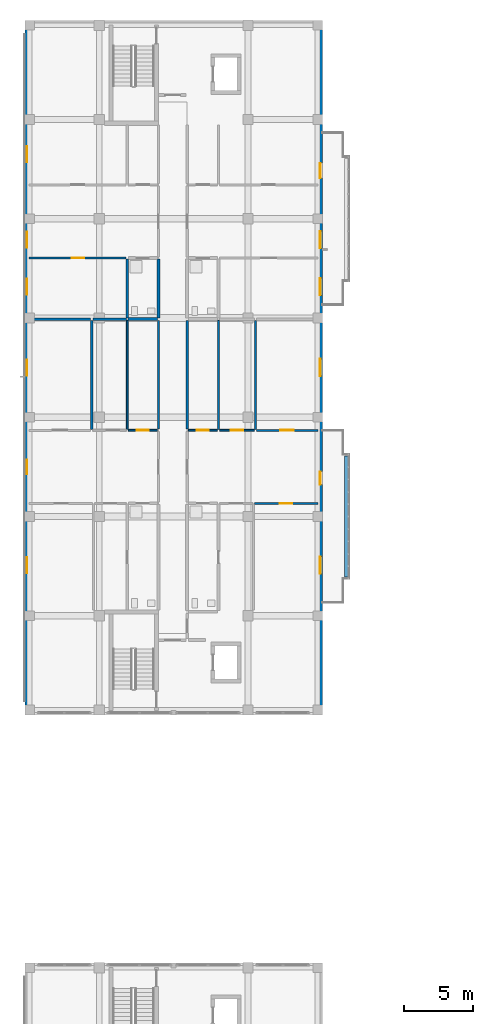
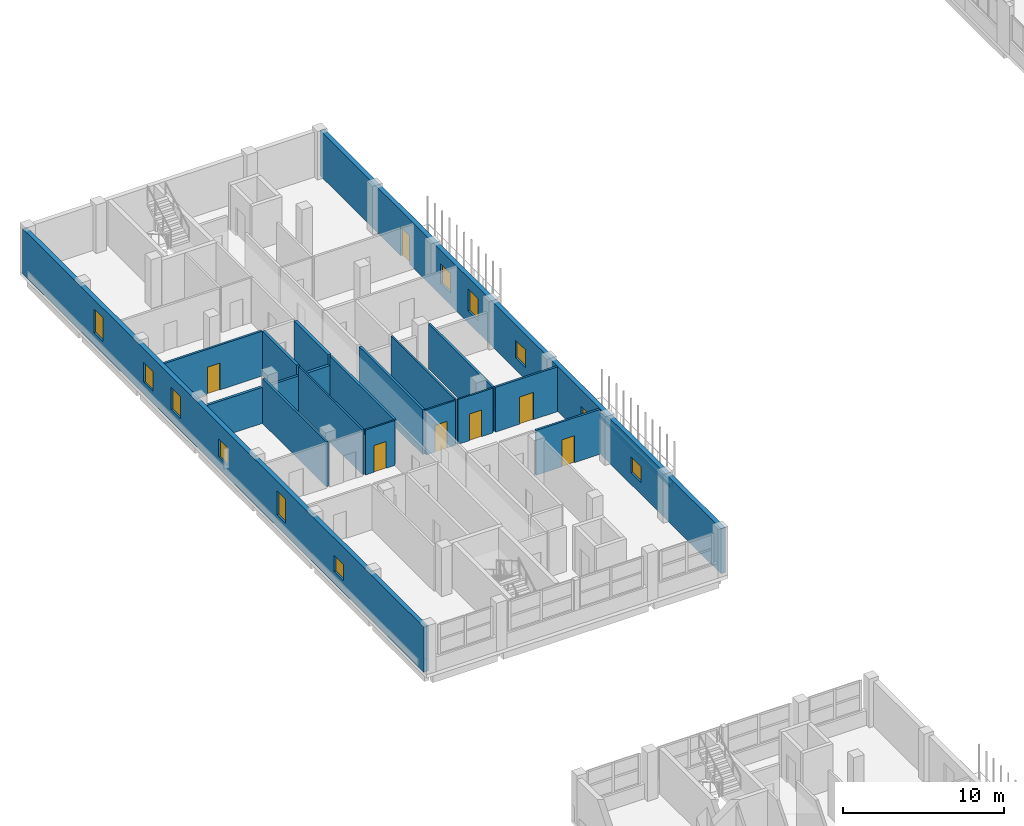
# One storey, part 42 of 73: 20 walls, 10 windows, 8 doors, 18 openings.
"""IFC4 building model written with IfcOpenShell, lengths in metres."""

from ifc_helpers import new_model, si_unit, derived_unit, direction, frame, frame_2d, origin, place, context, subcontext, project, spatial, rectangle, extrude, material, layer, layer_set, type_object, element, fill, save


model = new_model("IFC4")

# Units and contexts
model_context = context("Model", 3, precision=1e-05, world=origin(), true_north=direction((0.0, 1.0)))
body_context = subcontext(model_context, "Body", "Model", "MODEL_VIEW")
ifc_project = project(units=[si_unit("LENGTHUNIT", "METRE"), si_unit("AREAUNIT", "SQUARE_METRE"), si_unit("VOLUMEUNIT", "CUBIC_METRE"), si_unit("PLANEANGLEUNIT", "RADIAN"), si_unit("MASSUNIT", "GRAM", prefix="KILO"), derived_unit("THERMALTRANSMITTANCEUNIT", [(si_unit("MASSUNIT", "GRAM", prefix="KILO"), 1), (si_unit("TIMEUNIT", "SECOND"), -3), (si_unit("THERMODYNAMICTEMPERATUREUNIT", "KELVIN"), -1)])], contexts=[model_context])

# Site, building, storey
site_placement = place(None, origin())
site = spatial("IfcSite", under=ifc_project, at=site_placement, CompositionType="ELEMENT")
building_placement = place(site_placement, origin())
building = spatial("IfcBuilding", under=site, at=building_placement, Name="Ochrekiln Boulevard Commons", CompositionType="ELEMENT")
storey_placement = place(building_placement, frame((0.0, 0.0, 4.89990234375)))
storey = spatial("IfcBuildingStorey", under=building, at=storey_placement, Name="L01", CompositionType="ELEMENT", Elevation=4.89990234375)

# Wall, openings, windows
ifc_material_1 = material(Name="Desert ochre clinker brick masonry ASTM C216 Grade SW", Category="masonry")
ifc_layer_1 = layer(ifc_material_1, 0.320068359375)
ifc_layer_set_1 = layer_set([ifc_layer_1], Name="Desert ochre clinker brick masonry ASTM C216 Grade SW")
wall_type_1 = type_object("IfcWallType", Name="WL-EXT-OCHRE-320", PredefinedType="SOLIDWALL", material=ifc_layer_set_1)
wall_1_placement = place(storey_placement, frame((0.159912109375, 68.719970703125, 0.0), z_axis=(0.0, 0.0, 1.0), x_axis=(0.0, 1.0, 0.0)))
wall_1 = element("IfcWall", 1, at=wall_1_placement, inside=storey, type_object=wall_type_1, Name="Block A L01 W Exterior Wall", PredefinedType="SOLIDWALL", context=body_context, shape_type="SweptSolid", body=[
    extrude(rectangle(XDim=49.760009765625, YDim=0.320068359375, at=frame_2d((24.8798828125, 0.0))), origin(), (0.0, 0.0, 1.0), 3.4150390625),
])
opening_1_placement = place(wall_1_placement, frame((17.155029296875, 0.0, 0.89990234375)))
opening_1 = element("IfcOpeningElement", 2, at=opening_1_placement, cuts=wall_1, Name="Opening W-10", PredefinedType="OPENING", context=body_context, shape_type="SweptSolid", body=[
    extrude(rectangle(XDim=1.050048828125, YDim=1.800048828125, at=frame_2d((0.52490234375, 0.89990234375))), frame((0.0, 0.169921875, 0.0), z_axis=(0.0, -1.0, 0.0), x_axis=(1.0, 0.0, 0.0)), (0.0, 0.0, 1.0), 0.340087890625),
])
opening_2_placement = place(wall_1_placement, frame((9.969970703125, 0.0, 0.89990234375)))
opening_2 = element("IfcOpeningElement", 3, at=opening_2_placement, cuts=wall_1, Name="Opening W-11", PredefinedType="OPENING", context=body_context, shape_type="SweptSolid", body=[
    extrude(rectangle(XDim=1.14990234375, YDim=1.199951171875, at=frame_2d((0.574951171875, 0.60009765625))), frame((0.0, 0.169921875, 0.0), z_axis=(0.0, -1.0, 0.0), x_axis=(1.0, 0.0, 0.0)), (0.0, 0.0, 1.0), 0.340087890625),
])
opening_3_placement = place(wall_1_placement, frame((24.304931640625, 0.0, 0.89990234375)))
opening_3 = element("IfcOpeningElement", 4, at=opening_3_placement, cuts=wall_1, Name="Opening W-12", PredefinedType="OPENING", context=body_context, shape_type="SweptSolid", body=[
    extrude(rectangle(XDim=1.14990234375, YDim=1.35009765625, at=frame_2d((0.574951171875, 0.675048828125))), frame((0.0, 0.169921875, 0.0), z_axis=(0.0, -1.0, 0.0), x_axis=(1.0, 0.0, 0.0)), (0.0, 0.0, 1.0), 0.340087890625),
])
opening_4_placement = place(wall_1_placement, frame((33.583984375, 0.0, 0.89990234375)))
opening_4 = element("IfcOpeningElement", 5, at=opening_4_placement, cuts=wall_1, Name="Opening W-13", PredefinedType="OPENING", context=body_context, shape_type="SweptSolid", body=[
    extrude(rectangle(XDim=1.14990234375, YDim=1.5, at=frame_2d((0.574951171875, 0.75))), frame((0.0, 0.169921875, 0.0), z_axis=(0.0, -1.0, 0.0), x_axis=(1.0, 0.0, 0.0)), (0.0, 0.0, 1.0), 0.340087890625),
])
opening_5_placement = place(wall_1_placement, frame((30.174072265625, 0.0, 0.89990234375)))
opening_5 = element("IfcOpeningElement", 6, at=opening_5_placement, cuts=wall_1, Name="Opening W-14", PredefinedType="OPENING", context=body_context, shape_type="SweptSolid", body=[
    extrude(rectangle(XDim=1.14990234375, YDim=1.64990234375, at=frame_2d((0.574951171875, 0.824951171875))), frame((0.0, 0.169921875, 0.0), z_axis=(0.0, -1.0, 0.0), x_axis=(1.0, 0.0, 0.0)), (0.0, 0.0, 1.0), 0.340087890625),
])
opening_6_placement = place(wall_1_placement, frame((39.77587890625, 0.0, 0.89990234375)))
opening_6 = element("IfcOpeningElement", 7, at=opening_6_placement, cuts=wall_1, Name="Opening W-15", PredefinedType="OPENING", context=body_context, shape_type="SweptSolid", body=[
    extrude(rectangle(XDim=1.14990234375, YDim=1.800048828125, at=frame_2d((0.574951171875, 0.89990234375))), frame((0.0, 0.169921875, 0.0), z_axis=(0.0, -1.0, 0.0), x_axis=(1.0, 0.0, 0.0)), (0.0, 0.0, 1.0), 0.340087890625),
])
ifc_material_2 = material(Name="Thermally broken aluminium-clad oak frame", Category="aluminium")
window_type_1 = type_object("IfcWindowType", Name="WIN-EXT-10", PartitioningType="SINGLE_PANEL", PredefinedType="WINDOW", material=ifc_material_2)
window_1_placement = place(opening_1_placement, origin())
window_1 = element("IfcWindow", 8, at=window_1_placement, inside=storey, type_object=window_type_1, Name="Block A L01 Punched Masonry Window W-10", OverallHeight=1.800048828125, OverallWidth=1.050048828125, PartitioningType="SINGLE_PANEL", PredefinedType="WINDOW", context=body_context, shape_type="SweptSolid", body=[
    extrude(rectangle(XDim=1.050048828125, YDim=1.800048828125, at=frame_2d((0.52490234375, 0.89990234375))), frame((0.0, 0.030029296875, 0.0), z_axis=(0.0, -1.0, 0.0), x_axis=(1.0, 0.0, 0.0)), (0.0, 0.0, 1.0), 0.06005859375),
])
fill(opening_1, window_1)
window_type_2 = type_object("IfcWindowType", Name="WIN-EXT-11", PartitioningType="SINGLE_PANEL", PredefinedType="WINDOW", material=ifc_material_2)
window_2_placement = place(opening_2_placement, origin())
window_2 = element("IfcWindow", 9, at=window_2_placement, inside=storey, type_object=window_type_2, Name="Block A L01 Punched Masonry Window W-11", OverallHeight=1.199951171875, OverallWidth=1.14990234375, PartitioningType="SINGLE_PANEL", PredefinedType="WINDOW", context=body_context, shape_type="SweptSolid", body=[
    extrude(rectangle(XDim=1.14990234375, YDim=1.199951171875, at=frame_2d((0.574951171875, 0.60009765625))), frame((0.0, 0.030029296875, 0.0), z_axis=(0.0, -1.0, 0.0), x_axis=(1.0, 0.0, 0.0)), (0.0, 0.0, 1.0), 0.06005859375),
])
fill(opening_2, window_2)
window_type_3 = type_object("IfcWindowType", Name="WIN-EXT-12", PartitioningType="SINGLE_PANEL", PredefinedType="WINDOW", material=ifc_material_2)
window_3_placement = place(opening_3_placement, origin())
window_3 = element("IfcWindow", 10, at=window_3_placement, inside=storey, type_object=window_type_3, Name="Block A L01 Punched Masonry Window W-12", OverallHeight=1.35009765625, OverallWidth=1.14990234375, PartitioningType="SINGLE_PANEL", PredefinedType="WINDOW", context=body_context, shape_type="SweptSolid", body=[
    extrude(rectangle(XDim=1.14990234375, YDim=1.35009765625, at=frame_2d((0.574951171875, 0.675048828125))), frame((0.0, 0.030029296875, 0.0), z_axis=(0.0, -1.0, 0.0), x_axis=(1.0, 0.0, 0.0)), (0.0, 0.0, 1.0), 0.06005859375),
])
fill(opening_3, window_3)
window_type_4 = type_object("IfcWindowType", Name="WIN-EXT-13", PartitioningType="SINGLE_PANEL", PredefinedType="WINDOW", material=ifc_material_2)
window_4_placement = place(opening_4_placement, origin())
window_4 = element("IfcWindow", 11, at=window_4_placement, inside=storey, type_object=window_type_4, Name="Block A L01 Punched Masonry Window W-13", OverallHeight=1.5, OverallWidth=1.14990234375, PartitioningType="SINGLE_PANEL", PredefinedType="WINDOW", context=body_context, shape_type="SweptSolid", body=[
    extrude(rectangle(XDim=1.14990234375, YDim=1.5, at=frame_2d((0.574951171875, 0.75))), frame((0.0, 0.030029296875, 0.0), z_axis=(0.0, -1.0, 0.0), x_axis=(1.0, 0.0, 0.0)), (0.0, 0.0, 1.0), 0.06005859375),
])
fill(opening_4, window_4)
window_type_5 = type_object("IfcWindowType", Name="WIN-EXT-14", PartitioningType="SINGLE_PANEL", PredefinedType="WINDOW", material=ifc_material_2)
window_5_placement = place(opening_5_placement, origin())
window_5 = element("IfcWindow", 12, at=window_5_placement, inside=storey, type_object=window_type_5, Name="Block A L01 Punched Masonry Window W-14", OverallHeight=1.64990234375, OverallWidth=1.14990234375, PartitioningType="SINGLE_PANEL", PredefinedType="WINDOW", context=body_context, shape_type="SweptSolid", body=[
    extrude(rectangle(XDim=1.14990234375, YDim=1.64990234375, at=frame_2d((0.574951171875, 0.824951171875))), frame((0.0, 0.030029296875, 0.0), z_axis=(0.0, -1.0, 0.0), x_axis=(1.0, 0.0, 0.0)), (0.0, 0.0, 1.0), 0.06005859375),
])
fill(opening_5, window_5)
window_type_6 = type_object("IfcWindowType", Name="WIN-EXT-15", PartitioningType="SINGLE_PANEL", PredefinedType="WINDOW", material=ifc_material_2)
window_6_placement = place(opening_6_placement, origin())
window_6 = element("IfcWindow", 13, at=window_6_placement, inside=storey, type_object=window_type_6, Name="Block A L01 Punched Masonry Window W-15", OverallHeight=1.800048828125, OverallWidth=1.14990234375, PartitioningType="SINGLE_PANEL", PredefinedType="WINDOW", context=body_context, shape_type="SweptSolid", body=[
    extrude(rectangle(XDim=1.14990234375, YDim=1.800048828125, at=frame_2d((0.574951171875, 0.89990234375))), frame((0.0, 0.030029296875, 0.0), z_axis=(0.0, -1.0, 0.0), x_axis=(1.0, 0.0, 0.0)), (0.0, 0.0, 1.0), 0.06005859375),
])
fill(opening_6, window_6)

# Wall, openings, doors, windows
wall_2_placement = place(storey_placement, frame((21.43994140625, 68.719970703125, 0.0), z_axis=(0.0, 0.0, 1.0), x_axis=(0.0, 1.0, 0.0)))
wall_2 = element("IfcWall", 14, at=wall_2_placement, inside=storey, type_object=wall_type_1, Name="Block A L01 E Exterior Wall", PredefinedType="SOLIDWALL", context=body_context, shape_type="SweptSolid", body=[
    extrude(rectangle(XDim=49.760009765625, YDim=0.320068359375, at=frame_2d((24.8798828125, 0.0))), origin(), (0.0, 0.0, 1.0), 3.4150390625),
])
opening_7_placement = place(wall_2_placement, frame((16.3798828125, 0.0, 0.0)))
opening_7 = element("IfcOpeningElement", 15, at=opening_7_placement, cuts=wall_2, Name="Opening D-L01-BL004", PredefinedType="OPENING", context=body_context, shape_type="SweptSolid", body=[
    extrude(rectangle(XDim=0.949951171875, YDim=2.14990234375, at=frame_2d((0.47509765625, 1.074951171875))), frame((0.0, 0.169921875, 0.0), z_axis=(0.0, -1.0, 0.0), x_axis=(1.0, 0.0, 0.0)), (0.0, 0.0, 1.0), 0.340087890625),
])
opening_8_placement = place(wall_2_placement, frame((9.919921875, 0.0, 0.89990234375)))
opening_8 = element("IfcOpeningElement", 16, at=opening_8_placement, cuts=wall_2, Name="Opening W-16", PredefinedType="OPENING", context=body_context, shape_type="SweptSolid", body=[
    extrude(rectangle(XDim=1.25, YDim=1.199951171875, at=frame_2d((0.625, 0.60009765625))), frame((0.0, 0.169921875, 0.0), z_axis=(0.0, -1.0, 0.0), x_axis=(1.0, 0.0, 0.0)), (0.0, 0.0, 1.0), 0.340087890625),
])
opening_9_placement = place(wall_2_placement, frame((24.2548828125, 0.0, 0.89990234375)))
opening_9 = element("IfcOpeningElement", 17, at=opening_9_placement, cuts=wall_2, Name="Opening W-17", PredefinedType="OPENING", context=body_context, shape_type="SweptSolid", body=[
    extrude(rectangle(XDim=1.25, YDim=1.35009765625, at=frame_2d((0.625, 0.675048828125))), frame((0.0, 0.169921875, 0.0), z_axis=(0.0, -1.0, 0.0), x_axis=(1.0, 0.0, 0.0)), (0.0, 0.0, 1.0), 0.340087890625),
])
opening_10_placement = place(wall_2_placement, frame((33.533935546875, 0.0, 0.89990234375)))
opening_10 = element("IfcOpeningElement", 18, at=opening_10_placement, cuts=wall_2, Name="Opening W-18", PredefinedType="OPENING", context=body_context, shape_type="SweptSolid", body=[
    extrude(rectangle(XDim=1.25, YDim=1.5, at=frame_2d((0.625, 0.75))), frame((0.0, 0.169921875, 0.0), z_axis=(0.0, -1.0, 0.0), x_axis=(1.0, 0.0, 0.0)), (0.0, 0.0, 1.0), 0.340087890625),
])
opening_11_placement = place(wall_2_placement, frame((30.1240234375, 0.0, 0.89990234375)))
opening_11 = element("IfcOpeningElement", 19, at=opening_11_placement, cuts=wall_2, Name="Opening W-19", PredefinedType="OPENING", context=body_context, shape_type="SweptSolid", body=[
    extrude(rectangle(XDim=1.25, YDim=1.64990234375, at=frame_2d((0.625, 0.824951171875))), frame((0.0, 0.169921875, 0.0), z_axis=(0.0, -1.0, 0.0), x_axis=(1.0, 0.0, 0.0)), (0.0, 0.0, 1.0), 0.340087890625),
])
opening_12_placement = place(wall_2_placement, frame((38.635986328125, 0.0, 0.0)))
opening_12 = element("IfcOpeningElement", 20, at=opening_12_placement, cuts=wall_2, Name="Opening D-L01-BL005", PredefinedType="OPENING", context=body_context, shape_type="SweptSolid", body=[
    extrude(rectangle(XDim=1.080078125, YDim=2.179931640625, at=frame_2d((0.5400390625, 1.08984375))), frame((0.0, 0.169921875, 0.0), z_axis=(0.0, -1.0, 0.0), x_axis=(1.0, 0.0, 0.0)), (0.0, 0.0, 1.0), 0.340087890625),
])
door_type_1 = type_object("IfcDoorType", Name="DR-EXT-BAL-095", OperationType="NOTDEFINED", PredefinedType="DOOR", material=ifc_material_2)
door_1_placement = place(opening_7_placement, frame((0.949951171875, 0.0, 0.0), z_axis=(0.0, 0.0, 1.0), x_axis=(-1.0, 0.0, 0.0)))
door_1 = element("IfcDoor", 21, at=door_1_placement, inside=storey, type_object=door_type_1, Name="Block A L01 Glazed Balcony Patio Door", OperationType="SINGLE_SWING_LEFT", OverallHeight=2.14990234375, OverallWidth=0.949951171875, PredefinedType="DOOR", context=body_context, shape_type="SweptSolid", body=[
    extrude(rectangle(XDim=0.949951171875, YDim=2.14990234375, at=frame_2d((0.47509765625, 1.074951171875))), frame((0.0, 0.02490234375, 0.0), z_axis=(0.0, -1.0, 0.0), x_axis=(1.0, 0.0, 0.0)), (0.0, 0.0, 1.0), 0.050048828125),
])
fill(opening_7, door_1)
door_type_2 = type_object("IfcDoorType", Name="DR-EXT-BAL-108", OperationType="NOTDEFINED", PredefinedType="DOOR", material=ifc_material_2)
door_2_placement = place(opening_12_placement, frame((1.080078125, 0.0, 0.0), z_axis=(0.0, 0.0, 1.0), x_axis=(-1.0, 0.0, 0.0)))
door_2 = element("IfcDoor", 22, at=door_2_placement, inside=storey, type_object=door_type_2, Name="Block A L01 Glazed Balcony Patio Door", OperationType="SINGLE_SWING_RIGHT", OverallHeight=2.179931640625, OverallWidth=1.080078125, PredefinedType="DOOR", context=body_context, shape_type="SweptSolid", body=[
    extrude(rectangle(XDim=1.080078125, YDim=2.179931640625, at=frame_2d((0.5400390625, 1.08984375))), frame((0.0, 0.02490234375, 0.0), z_axis=(0.0, -1.0, 0.0), x_axis=(1.0, 0.0, 0.0)), (0.0, 0.0, 1.0), 0.050048828125),
])
fill(opening_12, door_2)
window_type_7 = type_object("IfcWindowType", Name="WIN-EXT-16", PartitioningType="SINGLE_PANEL", PredefinedType="WINDOW", material=ifc_material_2)
window_7_placement = place(opening_8_placement, origin())
window_7 = element("IfcWindow", 23, at=window_7_placement, inside=storey, type_object=window_type_7, Name="Block A L01 Punched Masonry Window W-16", OverallHeight=1.199951171875, OverallWidth=1.25, PartitioningType="SINGLE_PANEL", PredefinedType="WINDOW", context=body_context, shape_type="SweptSolid", body=[
    extrude(rectangle(XDim=1.25, YDim=1.199951171875, at=frame_2d((0.625, 0.60009765625))), frame((0.0, 0.030029296875, 0.0), z_axis=(0.0, -1.0, 0.0), x_axis=(1.0, 0.0, 0.0)), (0.0, 0.0, 1.0), 0.06005859375),
])
fill(opening_8, window_7)
window_type_8 = type_object("IfcWindowType", Name="WIN-EXT-17", PartitioningType="SINGLE_PANEL", PredefinedType="WINDOW", material=ifc_material_2)
window_8_placement = place(opening_9_placement, origin())
window_8 = element("IfcWindow", 24, at=window_8_placement, inside=storey, type_object=window_type_8, Name="Block A L01 Punched Masonry Window W-17", OverallHeight=1.35009765625, OverallWidth=1.25, PartitioningType="SINGLE_PANEL", PredefinedType="WINDOW", context=body_context, shape_type="SweptSolid", body=[
    extrude(rectangle(XDim=1.25, YDim=1.35009765625, at=frame_2d((0.625, 0.675048828125))), frame((0.0, 0.030029296875, 0.0), z_axis=(0.0, -1.0, 0.0), x_axis=(1.0, 0.0, 0.0)), (0.0, 0.0, 1.0), 0.06005859375),
])
fill(opening_9, window_8)
window_type_9 = type_object("IfcWindowType", Name="WIN-EXT-18", PartitioningType="SINGLE_PANEL", PredefinedType="WINDOW", material=ifc_material_2)
window_9_placement = place(opening_10_placement, origin())
window_9 = element("IfcWindow", 25, at=window_9_placement, inside=storey, type_object=window_type_9, Name="Block A L01 Punched Masonry Window W-18", OverallHeight=1.5, OverallWidth=1.25, PartitioningType="SINGLE_PANEL", PredefinedType="WINDOW", context=body_context, shape_type="SweptSolid", body=[
    extrude(rectangle(XDim=1.25, YDim=1.5, at=frame_2d((0.625, 0.75))), frame((0.0, 0.030029296875, 0.0), z_axis=(0.0, -1.0, 0.0), x_axis=(1.0, 0.0, 0.0)), (0.0, 0.0, 1.0), 0.06005859375),
])
fill(opening_10, window_9)
window_type_10 = type_object("IfcWindowType", Name="WIN-EXT-19", PartitioningType="SINGLE_PANEL", PredefinedType="WINDOW", material=ifc_material_2)
window_10_placement = place(opening_11_placement, origin())
window_10 = element("IfcWindow", 26, at=window_10_placement, inside=storey, type_object=window_type_10, Name="Block A L01 Punched Masonry Window W-19", OverallHeight=1.64990234375, OverallWidth=1.25, PartitioningType="SINGLE_PANEL", PredefinedType="WINDOW", context=body_context, shape_type="SweptSolid", body=[
    extrude(rectangle(XDim=1.25, YDim=1.64990234375, at=frame_2d((0.625, 0.824951171875))), frame((0.0, 0.030029296875, 0.0), z_axis=(0.0, -1.0, 0.0), x_axis=(1.0, 0.0, 0.0)), (0.0, 0.0, 1.0), 0.06005859375),
])
fill(opening_11, window_10)

# Walls
ifc_material_3 = material(Name="Moisture-resistant cementitious tile backer wall")
ifc_layer_2 = layer(ifc_material_3, 0.199951171875)
ifc_layer_set_2 = layer_set([ifc_layer_2], Name="Moisture-resistant cementitious tile backer wall")
wall_type_2 = type_object("IfcWallType", Name="WL-PLM-200", PredefinedType="PLUMBINGWALL", material=ifc_layer_set_2)
wall_3_placement = place(storey_placement, frame((7.5, 97.1201171875, 0.0), z_axis=(0.0, 0.0, 1.0), x_axis=(1.0, 0.0, 0.0)))
element("IfcWall", 27, at=wall_3_placement, inside=storey, type_object=wall_type_2, Name="L01 Interior Wall W-PW200", PredefinedType="PLUMBINGWALL", context=body_context, shape_type="SweptSolid", body=[
    extrude(rectangle(XDim=2.1279296875, YDim=0.199951171875, at=frame_2d((1.06396484375, 0.0))), origin(), (0.0, 0.0, 1.0), 2.68505859375),
])
wall_4_placement = place(storey_placement, frame((7.43994140625, 97.2099609375, 0.0), z_axis=(0.0, 0.0, 1.0), x_axis=(0.0, 1.0, 0.0)))
element("IfcWall", 28, at=wall_4_placement, inside=storey, type_object=wall_type_2, Name="L01 Interior Wall W-PW200", PredefinedType="PLUMBINGWALL", context=body_context, shape_type="SweptSolid", body=[
    extrude(rectangle(XDim=4.257080078125, YDim=0.199951171875, at=frame_2d((2.12841796875, 0.0))), origin(), (0.0, 0.0, 1.0), 3.39501953125),
])
ifc_layer_3 = layer(ifc_material_3, 0.219970703125)
ifc_layer_set_3 = layer_set([ifc_layer_3], Name="Moisture-resistant cementitious tile backer wall")
wall_type_3 = type_object("IfcWallType", Name="WL-PLM-220", PredefinedType="PLUMBINGWALL", material=ifc_layer_set_3)
wall_5_placement = place(storey_placement, frame((9.7099609375, 97.2099609375, 0.0), z_axis=(0.0, 0.0, 1.0), x_axis=(0.0, 1.0, 0.0)))
element("IfcWall", 29, at=wall_5_placement, inside=storey, type_object=wall_type_3, Name="L01 Interior Wall W-PW220", PredefinedType="PLUMBINGWALL", context=body_context, shape_type="SweptSolid", body=[
    extrude(rectangle(XDim=4.257080078125, YDim=0.219970703125, at=frame_2d((2.12841796875, 0.0))), origin(), (0.0, 0.0, 1.0), 3.39501953125),
])
ifc_material_4 = material(Name="Glazed architectural terracotta ASTM C1405", Category="masonry")
ifc_layer_4 = layer(ifc_material_4, 0.25)
ifc_layer_set_4 = layer_set([ifc_layer_4], Name="Glazed architectural terracotta ASTM C1405")
wall_type_4 = type_object("IfcWallType", Name="WL-PLN-250", PredefinedType="PARAPET", material=ifc_layer_set_4)
wall_6_placement = place(storey_placement, frame((23.320068359375, 78.409912109375, 0.0), z_axis=(0.0, 0.0, 1.0), x_axis=(0.0, 1.0, 0.0)))
element("IfcWall", 30, at=wall_6_placement, inside=storey, type_object=wall_type_4, Name="Block A L01 Balcony Terracotta Planter Box 1", PredefinedType="PARAPET", context=body_context, shape_type="SweptSolid", body=[
    extrude(rectangle(XDim=8.780029296875, YDim=0.25, at=frame_2d((4.39013671875, 0.0))), origin(), (0.0, 0.0, 1.0), 0.22998046875),
])
ifc_material_5 = material(Name="Fire-rated Type X gypsum board on steel studs", Category="steel")
ifc_layer_5 = layer(ifc_material_5, 0.1650390625)
ifc_layer_set_5 = layer_set([ifc_layer_5], Name="Fire-rated Type X gypsum board on steel studs")
wall_type_5 = type_object("IfcWallType", Name="WL-PT-CORR-165", PredefinedType="PARTITIONING", material=ifc_layer_set_5)
for number, where, z_axis, x_axis, name in (
    (31, (9.7099609375, 89.1298828125, 0.0), (0.0, 0.0, 1.0), (0.0, 1.0, 0.0), "L01 Interior Wall W-PC165"),
    (32, (11.7900390625, 89.1298828125, 0.0), (0.0, 0.0, 1.0), (0.0, 1.0, 0.0), "L01 Interior Wall W-PC165"),
):
    element("IfcWall", number, at=place(storey_placement, frame(where, z_axis=z_axis, x_axis=x_axis)), inside=storey, type_object=wall_type_5, Name=name, PredefinedType="PARTITIONING", context=body_context, shape_type="SweptSolid", body=[
        extrude(rectangle(XDim=7.900146484375, YDim=0.1650390625, at=frame_2d((3.9501953125, 0.0))), origin(), (0.0, 0.0, 1.0), 3.39501953125),
    ])
ifc_layer_6 = layer(ifc_material_5, 0.179931640625)
ifc_layer_set_6 = layer_set([ifc_layer_6], Name="Fire-rated Type X gypsum board on steel studs")
wall_type_6 = type_object("IfcWallType", Name="WL-PT-DEM-180", PredefinedType="PARTITIONING", material=ifc_layer_set_6)
wall_7_placement = place(storey_placement, frame((0.320068359375, 97.1201171875, 0.0), z_axis=(0.0, 0.0, 1.0), x_axis=(1.0, 0.0, 0.0)))
element("IfcWall", 33, at=wall_7_placement, inside=storey, type_object=wall_type_6, Name="L01 Interior Wall W-PD180", PredefinedType="PARTITIONING", context=body_context, shape_type="SweptSolid", body=[
    extrude(rectangle(XDim=4.4599609375, YDim=0.179931640625, at=frame_2d((2.22998046875, 0.0))), origin(), (0.0, 0.0, 1.0), 2.735107421875),
])
wall_8_placement = place(storey_placement, frame((4.93994140625, 97.1201171875, 0.0), z_axis=(0.0, 0.0, 1.0), x_axis=(1.0, 0.0, 0.0)))
element("IfcWall", 34, at=wall_8_placement, inside=storey, type_object=wall_type_6, Name="L01 Interior Wall W-PD180", PredefinedType="PARTITIONING", context=body_context, shape_type="SweptSolid", body=[
    extrude(rectangle(XDim=2.43994140625, YDim=0.179931640625, at=frame_2d((1.219970703125, 0.0))), origin(), (0.0, 0.0, 1.0), 2.68505859375),
])

# Wall, opening, door
ifc_layer_7 = layer(ifc_material_5, 0.1201171875)
ifc_layer_set_7 = layer_set([ifc_layer_7], Name="Fire-rated Type X gypsum board on steel studs")
wall_type_7 = type_object("IfcWallType", Name="WL-PT-LGT-120", PredefinedType="PARTITIONING", material=ifc_layer_set_7)
wall_9_placement = place(storey_placement, frame((7.52001953125, 89.050048828125, 0.0), z_axis=(0.0, 0.0, 1.0), x_axis=(1.0, 0.0, 0.0)))
wall_9 = element("IfcWall", 35, at=wall_9_placement, inside=storey, type_object=wall_type_7, Name="L01 Interior Wall W-PL120", PredefinedType="PARTITIONING", context=body_context, shape_type="SweptSolid", body=[
    extrude(rectangle(XDim=2.10791015625, YDim=0.1201171875, at=frame_2d((1.053955078125, 0.0))), origin(), (0.0, 0.0, 1.0), 3.39501953125),
])
opening_13_placement = place(wall_9_placement, frame((0.610107421875, 0.0, 0.0)))
opening_13 = element("IfcOpeningElement", 36, at=opening_13_placement, cuts=wall_9, Name="Opening D-L01-156", PredefinedType="OPENING", context=body_context, shape_type="SweptSolid", body=[
    extrude(rectangle(XDim=0.8798828125, YDim=2.02001953125, at=frame_2d((0.43994140625, 1.010009765625))), frame((0.0, 0.070068359375, 0.0), z_axis=(0.0, -1.0, 0.0), x_axis=(1.0, 0.0, 0.0)), (0.0, 0.0, 1.0), 0.14013671875),
])
ifc_material_6 = material(Name="Solid core architectural oak door leaf")
door_type_3 = type_object("IfcDoorType", Name="DR-INT-KIT-088", OperationType="NOTDEFINED", PredefinedType="DOOR", material=ifc_material_6)
door_3_placement = place(opening_13_placement, origin())
door_3 = element("IfcDoor", 37, at=door_3_placement, inside=storey, type_object=door_type_3, Name="L01 Interior Door to Apartment Kitchen", OperationType="SINGLE_SWING_RIGHT", OverallHeight=2.02001953125, OverallWidth=0.8798828125, PredefinedType="DOOR", context=body_context, shape_type="SweptSolid", body=[
    extrude(rectangle(XDim=0.8798828125, YDim=2.02001953125, at=frame_2d((0.43994140625, 1.010009765625))), frame((0.0, 0.02490234375, 0.0), z_axis=(0.0, -1.0, 0.0), x_axis=(1.0, 0.0, 0.0)), (0.0, 0.0, 1.0), 0.050048828125),
])
fill(opening_13, door_3)

# Wall
wall_10_placement = place(storey_placement, frame((7.43994140625, 89.110107421875, 0.0), z_axis=(0.0, 0.0, 1.0), x_axis=(0.0, 1.0, 0.0)))
element("IfcWall", 38, at=wall_10_placement, inside=storey, type_object=wall_type_7, Name="L01 Interior Wall W-PL120", PredefinedType="PARTITIONING", context=body_context, shape_type="SweptSolid", body=[
    extrude(rectangle(XDim=7.919921875, YDim=0.1201171875, at=frame_2d((3.9599609375, 0.0))), origin(), (0.0, 0.0, 1.0), 3.39501953125),
])

# Wall, opening, door
wall_11_placement = place(storey_placement, frame((11.8720703125, 89.050048828125, 0.0), z_axis=(0.0, 0.0, 1.0), x_axis=(1.0, 0.0, 0.0)))
wall_11 = element("IfcWall", 39, at=wall_11_placement, inside=storey, type_object=wall_type_7, Name="L01 Interior Wall W-PL120", PredefinedType="PARTITIONING", context=body_context, shape_type="SweptSolid", body=[
    extrude(rectangle(XDim=2.10791015625, YDim=0.1201171875, at=frame_2d((1.053955078125, 0.0))), origin(), (0.0, 0.0, 1.0), 3.39501953125),
])
opening_14_placement = place(wall_11_placement, frame((0.617919921875, 0.0, 0.0)))
opening_14 = element("IfcOpeningElement", 40, at=opening_14_placement, cuts=wall_11, Name="Opening D-L01-167", PredefinedType="OPENING", context=body_context, shape_type="SweptSolid", body=[
    extrude(rectangle(XDim=0.8798828125, YDim=2.02001953125, at=frame_2d((0.43994140625, 1.010009765625))), frame((0.0, 0.070068359375, 0.0), z_axis=(0.0, -1.0, 0.0), x_axis=(1.0, 0.0, 0.0)), (0.0, 0.0, 1.0), 0.14013671875),
])
door_4_placement = place(opening_14_placement, origin())
door_4 = element("IfcDoor", 41, at=door_4_placement, inside=storey, type_object=door_type_3, Name="L01 Interior Door to Apartment Kitchen", OperationType="SINGLE_SWING_LEFT", OverallHeight=2.02001953125, OverallWidth=0.8798828125, PredefinedType="DOOR", context=body_context, shape_type="SweptSolid", body=[
    extrude(rectangle(XDim=0.8798828125, YDim=2.02001953125, at=frame_2d((0.43994140625, 1.010009765625))), frame((0.0, 0.02490234375, 0.0), z_axis=(0.0, -1.0, 0.0), x_axis=(1.0, 0.0, 0.0)), (0.0, 0.0, 1.0), 0.050048828125),
])
fill(opening_14, door_4)

wall_12_placement = place(storey_placement, frame((14.139892578125, 89.050048828125, 0.0), z_axis=(0.0, 0.0, 1.0), x_axis=(1.0, 0.0, 0.0)))
wall_12 = element("IfcWall", 42, at=wall_12_placement, inside=storey, type_object=wall_type_7, Name="L01 Interior Wall W-PL120", PredefinedType="PARTITIONING", context=body_context, shape_type="SweptSolid", body=[
    extrude(rectangle(XDim=2.52001953125, YDim=0.1201171875, at=frame_2d((1.260009765625, 0.0))), origin(), (0.0, 0.0, 1.0), 3.39501953125),
])
opening_15_placement = place(wall_12_placement, frame((0.820068359375, 0.0, 0.0)))
opening_15 = element("IfcOpeningElement", 43, at=opening_15_placement, cuts=wall_12, Name="Opening D-L01-171", PredefinedType="OPENING", context=body_context, shape_type="SweptSolid", body=[
    extrude(rectangle(XDim=0.8798828125, YDim=2.02001953125, at=frame_2d((0.43994140625, 1.010009765625))), frame((0.0, 0.070068359375, 0.0), z_axis=(0.0, -1.0, 0.0), x_axis=(1.0, 0.0, 0.0)), (0.0, 0.0, 1.0), 0.14013671875),
])
door_5_placement = place(opening_15_placement, origin())
door_5 = element("IfcDoor", 44, at=door_5_placement, inside=storey, type_object=door_type_3, Name="L01 Interior Door to Apartment Walk-In Wardrobe", OperationType="SINGLE_SWING_LEFT", OverallHeight=2.02001953125, OverallWidth=0.8798828125, PredefinedType="DOOR", context=body_context, shape_type="SweptSolid", body=[
    extrude(rectangle(XDim=0.8798828125, YDim=2.02001953125, at=frame_2d((0.43994140625, 1.010009765625))), frame((0.0, 0.02490234375, 0.0), z_axis=(0.0, -1.0, 0.0), x_axis=(1.0, 0.0, 0.0)), (0.0, 0.0, 1.0), 0.050048828125),
])
fill(opening_15, door_5)

# Walls
wall_13_placement = place(storey_placement, frame((14.06005859375, 89.110107421875, 0.0), z_axis=(0.0, 0.0, 1.0), x_axis=(0.0, 1.0, 0.0)))
element("IfcWall", 45, at=wall_13_placement, inside=storey, type_object=wall_type_7, Name="L01 Interior Wall W-PL120", PredefinedType="PARTITIONING", context=body_context, shape_type="SweptSolid", body=[
    extrude(rectangle(XDim=7.919921875, YDim=0.1201171875, at=frame_2d((3.9599609375, 0.0))), origin(), (0.0, 0.0, 1.0), 3.39501953125),
])
ifc_layer_8 = layer(ifc_material_5, 0.14990234375)
ifc_layer_set_8 = layer_set([ifc_layer_8], Name="Fire-rated Type X gypsum board on steel studs")
wall_type_8 = type_object("IfcWallType", Name="WL-PT-STD-150", PredefinedType="PARTITIONING", material=ifc_layer_set_8)
wall_14_placement = place(storey_placement, frame((4.860107421875, 89.110107421875, 0.0), z_axis=(0.0, 0.0, 1.0), x_axis=(0.0, 1.0, 0.0)))
element("IfcWall", 46, at=wall_14_placement, inside=storey, type_object=wall_type_8, Name="L01 Interior Wall W-PS150", PredefinedType="PARTITIONING", context=body_context, shape_type="SweptSolid", body=[
    extrude(rectangle(XDim=7.919921875, YDim=0.14990234375, at=frame_2d((3.9599609375, 0.0))), origin(), (0.0, 0.0, 1.0), 3.39501953125),
])

# Wall, opening, door
wall_15_placement = place(storey_placement, frame((0.320068359375, 101.547119140625, 0.0), z_axis=(0.0, 0.0, 1.0), x_axis=(1.0, 0.0, 0.0)))
wall_15 = element("IfcWall", 47, at=wall_15_placement, inside=storey, type_object=wall_type_8, Name="L01 Interior Wall W-PS150", PredefinedType="PARTITIONING", context=body_context, shape_type="SweptSolid", body=[
    extrude(rectangle(XDim=7.0400390625, YDim=0.14990234375, at=frame_2d((3.52001953125, 0.0))), origin(), (0.0, 0.0, 1.0), 3.39501953125),
])
opening_16_placement = place(wall_15_placement, frame((3.0849609375, 0.0, 0.0)))
opening_16 = element("IfcOpeningElement", 48, at=opening_16_placement, cuts=wall_15, Name="Opening D-L01-164", PredefinedType="OPENING", context=body_context, shape_type="SweptSolid", body=[
    extrude(rectangle(XDim=0.89990234375, YDim=2.0400390625, at=frame_2d((0.449951171875, 1.02001953125))), frame((0.0, 0.0849609375, 0.0), z_axis=(0.0, -1.0, 0.0), x_axis=(1.0, 0.0, 0.0)), (0.0, 0.0, 1.0), 0.169921875),
])
door_type_4 = type_object("IfcDoorType", Name="DR-INT-BED-090", OperationType="NOTDEFINED", PredefinedType="DOOR", material=ifc_material_6)
door_6_placement = place(opening_16_placement, frame((0.89990234375, 0.0, 0.0), z_axis=(0.0, 0.0, 1.0), x_axis=(-1.0, 0.0, 0.0)))
door_6 = element("IfcDoor", 49, at=door_6_placement, inside=storey, type_object=door_type_4, Name="L01 Interior Door to Primary Apartment Bedroom", OperationType="SINGLE_SWING_RIGHT", OverallHeight=2.0400390625, OverallWidth=0.89990234375, PredefinedType="DOOR", context=body_context, shape_type="SweptSolid", body=[
    extrude(rectangle(XDim=0.89990234375, YDim=2.0400390625, at=frame_2d((0.449951171875, 1.02001953125))), frame((0.0, 0.02490234375, 0.0), z_axis=(0.0, -1.0, 0.0), x_axis=(1.0, 0.0, 0.0)), (0.0, 0.0, 1.0), 0.050048828125),
])
fill(opening_16, door_6)

wall_16_placement = place(storey_placement, frame((16.68701171875, 83.75, 0.0), z_axis=(0.0, 0.0, 1.0), x_axis=(1.0, 0.0, 0.0)))
wall_16 = element("IfcWall", 50, at=wall_16_placement, inside=storey, type_object=wall_type_8, Name="L01 Interior Wall W-PS150", PredefinedType="PARTITIONING", context=body_context, shape_type="SweptSolid", body=[
    extrude(rectangle(XDim=4.593017578125, YDim=0.14990234375, at=frame_2d((2.29638671875, 0.0))), origin(), (0.0, 0.0, 1.0), 3.39501953125),
])
opening_17_placement = place(wall_16_placement, frame((1.8310546875, 0.0, 0.0)))
opening_17 = element("IfcOpeningElement", 51, at=opening_17_placement, cuts=wall_16, Name="Opening D-L01-168", PredefinedType="OPENING", context=body_context, shape_type="SweptSolid", body=[
    extrude(rectangle(XDim=0.89990234375, YDim=2.0400390625, at=frame_2d((0.449951171875, 1.02001953125))), frame((0.0, 0.0849609375, 0.0), z_axis=(0.0, -1.0, 0.0), x_axis=(1.0, 0.0, 0.0)), (0.0, 0.0, 1.0), 0.169921875),
])
door_7_placement = place(opening_17_placement, frame((0.89990234375, 0.0, 0.0), z_axis=(0.0, 0.0, 1.0), x_axis=(-1.0, 0.0, 0.0)))
door_7 = element("IfcDoor", 52, at=door_7_placement, inside=storey, type_object=door_type_4, Name="L01 Interior Door to Primary Apartment Bedroom", OperationType="SINGLE_SWING_RIGHT", OverallHeight=2.0400390625, OverallWidth=0.89990234375, PredefinedType="DOOR", context=body_context, shape_type="SweptSolid", body=[
    extrude(rectangle(XDim=0.89990234375, YDim=2.0400390625, at=frame_2d((0.449951171875, 1.02001953125))), frame((0.0, 0.02490234375, 0.0), z_axis=(0.0, -1.0, 0.0), x_axis=(1.0, 0.0, 0.0)), (0.0, 0.0, 1.0), 0.050048828125),
])
fill(opening_17, door_7)

wall_17_placement = place(storey_placement, frame((16.820068359375, 89.050048828125, 0.0), z_axis=(0.0, 0.0, 1.0), x_axis=(1.0, 0.0, 0.0)))
wall_17 = element("IfcWall", 53, at=wall_17_placement, inside=storey, type_object=wall_type_8, Name="L01 Interior Wall W-PS150", PredefinedType="PARTITIONING", context=body_context, shape_type="SweptSolid", body=[
    extrude(rectangle(XDim=4.4599609375, YDim=0.14990234375, at=frame_2d((2.22998046875, 0.0))), origin(), (0.0, 0.0, 1.0), 3.39501953125),
])
opening_18_placement = place(wall_17_placement, frame((1.715087890625, 0.0, 0.0)))
opening_18 = element("IfcOpeningElement", 54, at=opening_18_placement, cuts=wall_17, Name="Opening D-L01-170", PredefinedType="OPENING", context=body_context, shape_type="SweptSolid", body=[
    extrude(rectangle(XDim=1.0, YDim=2.06005859375, at=frame_2d((0.5, 1.030029296875))), frame((0.0, 0.0849609375, 0.0), z_axis=(0.0, -1.0, 0.0), x_axis=(1.0, 0.0, 0.0)), (0.0, 0.0, 1.0), 0.169921875),
])
door_type_5 = type_object("IfcDoorType", Name="DR-INT-BED-100", OperationType="NOTDEFINED", PredefinedType="DOOR", material=ifc_material_6)
door_8_placement = place(opening_18_placement, origin())
door_8 = element("IfcDoor", 55, at=door_8_placement, inside=storey, type_object=door_type_5, Name="L01 Interior Door to Secondary Apartment Bedroom", OperationType="SINGLE_SWING_RIGHT", OverallHeight=2.06005859375, OverallWidth=1.0, PredefinedType="DOOR", context=body_context, shape_type="SweptSolid", body=[
    extrude(rectangle(XDim=1.0, YDim=2.06005859375, at=frame_2d((0.5, 1.030029296875))), frame((0.0, 0.02490234375, 0.0), z_axis=(0.0, -1.0, 0.0), x_axis=(1.0, 0.0, 0.0)), (0.0, 0.0, 1.0), 0.050048828125),
])
fill(opening_18, door_8)

# Wall
wall_18_placement = place(storey_placement, frame((16.739990234375, 89.110107421875, 0.0), z_axis=(0.0, 0.0, 1.0), x_axis=(0.0, 1.0, 0.0)))
element("IfcWall", 56, at=wall_18_placement, inside=storey, type_object=wall_type_8, Name="L01 Interior Wall W-PS150", PredefinedType="PARTITIONING", context=body_context, shape_type="SweptSolid", body=[
    extrude(rectangle(XDim=7.919921875, YDim=0.14990234375, at=frame_2d((3.9599609375, 0.0))), origin(), (0.0, 0.0, 1.0), 3.39501953125),
])

save(model, "model.ifc")
